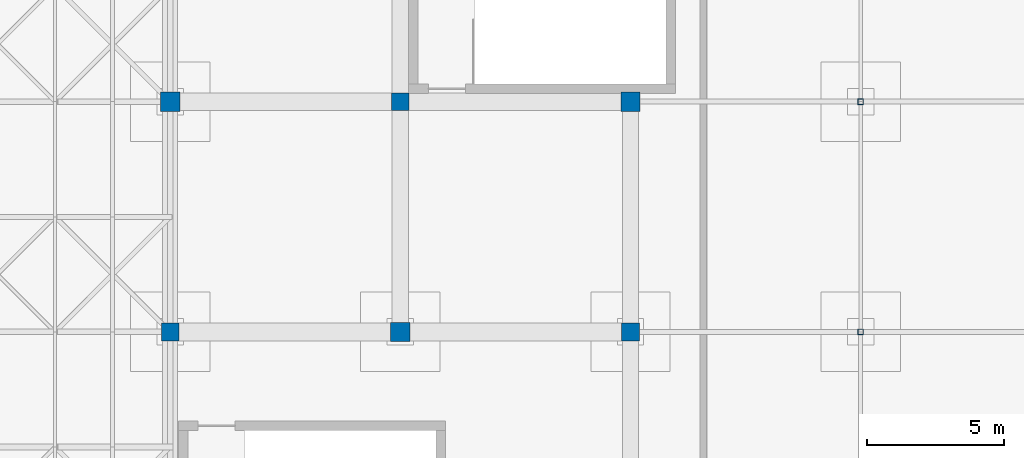
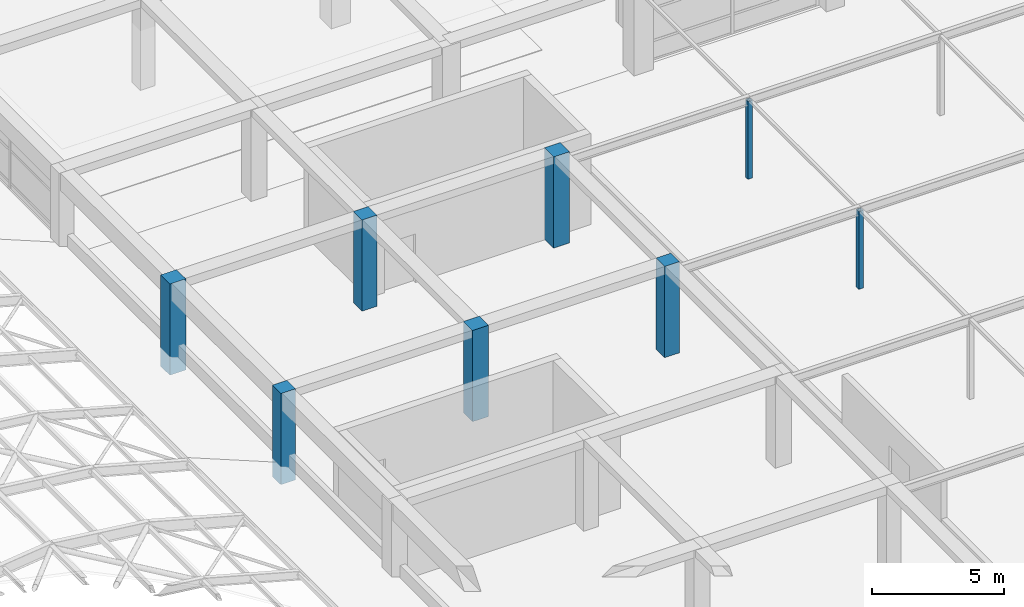
# One storey, part 5 of 85: 8 columns.
"""IFC4 building model written with IfcOpenShell, lengths in metres."""

from ifc_helpers import new_model, si_unit, direction, frame, origin, origin_2d, place, context, subcontext, project, spatial, rectangle, hollow_rectangle, extrude, material, material_profile, profile_set, type_object, element, save


model = new_model("IFC4")

# Units and contexts
model_context = context("Model", 3, precision=1e-05, world=origin(), true_north=direction((0.0, 1.0)))
body_context = subcontext(model_context, "Body", "Model", "MODEL_VIEW")
ifc_project = project(units=[si_unit("LENGTHUNIT", "METRE"), si_unit("AREAUNIT", "SQUARE_METRE"), si_unit("VOLUMEUNIT", "CUBIC_METRE"), si_unit("PLANEANGLEUNIT", "RADIAN"), si_unit("MASSUNIT", "GRAM", prefix="KILO")], contexts=[model_context])

# Site, building, storey
site_placement = place(None, origin())
site = spatial("IfcSite", under=ifc_project, at=site_placement, CompositionType="ELEMENT")
building_placement = place(site_placement, origin())
building = spatial("IfcBuilding", under=site, at=building_placement, Name="Almacenes y Pasaje Nevantli", CompositionType="ELEMENT")
storey_placement = place(building_placement, frame((0.0, 0.0, 22.199951171875)))
storey = spatial("IfcBuildingStorey", under=building, at=storey_placement, Name="L05", CompositionType="ELEMENT", Elevation=22.199951171875)

# Columns
ifc_material_1 = material(Name="Concrete C45/55", Category="concrete")
ifc_material_profile_1 = material_profile(ifc_material_1, rectangle(XDim=0.64990234375, YDim=0.64990234375, at=origin_2d()), Name="RC-COL-650x650")
ifc_profile_set_1 = profile_set([ifc_material_profile_1], Name="Concrete C45/55")
column_type_1 = type_object("IfcColumnType", Name="COL-RC-650", PredefinedType="COLUMN", material=ifc_profile_set_1)
for number, where, z_axis, x_axis, name in (
    (1, (92.39990234375, 50.39990234375, 0.0), (0.0, 0.0, 1.0), (1.0, 0.0, 0.0), "L05 Reinforced Concrete Column CL-07 #1922"),
    (2, (100.800048828125, 58.800048828125, 0.0), (0.0, 0.0, 1.0), (1.0, 0.0, 0.0), "L05 Reinforced Concrete Column CL-07 #1938"),
    (3, (109.199951171875, 50.39990234375, 0.0), (0.0, 0.0, 1.0), (1.0, 0.0, 0.0), "L05 Reinforced Concrete Column CL-07 #1952"),
):
    element("IfcColumn", number, at=place(storey_placement, frame(where, z_axis=z_axis, x_axis=x_axis)), inside=storey, type_object=column_type_1, Name=name, PredefinedType="COLUMN", context=body_context, shape_type="SweptSolid", body=[
        extrude(rectangle(XDim=0.64990234375, YDim=0.64990234375, at=origin_2d()), origin(), (0.0, 0.0, 1.0), 4.219970703125),
    ])
ifc_material_2 = material(Name="Concrete C45/55", Category="concrete")
ifc_material_profile_2 = material_profile(ifc_material_2, rectangle(XDim=0.699951171875, YDim=0.699951171875, at=origin_2d()), Name="RC-COL-700x700")
ifc_profile_set_2 = profile_set([ifc_material_profile_2], Name="Concrete C45/55")
column_type_2 = type_object("IfcColumnType", Name="COL-RC-700", PredefinedType="COLUMN", material=ifc_profile_set_2)
for number, where, z_axis, x_axis, name in (
    (4, (92.39990234375, 58.800048828125, 0.0), (0.0, 0.0, 1.0), (1.0, 0.0, 0.0), "L05 Reinforced Concrete Column CL-06 #1923"),
    (5, (100.800048828125, 50.39990234375, 0.0), (0.0, 0.0, 1.0), (1.0, 0.0, 0.0), "L05 Reinforced Concrete Column CL-06 #1937"),
    (6, (109.199951171875, 58.800048828125, 0.0), (0.0, 0.0, 1.0), (1.0, 0.0, 0.0), "L05 Reinforced Concrete Column CL-06 #1953"),
):
    element("IfcColumn", number, at=place(storey_placement, frame(where, z_axis=z_axis, x_axis=x_axis)), inside=storey, type_object=column_type_2, Name=name, PredefinedType="COLUMN", context=body_context, shape_type="SweptSolid", body=[
        extrude(rectangle(XDim=0.699951171875, YDim=0.699951171875, at=origin_2d()), origin(), (0.0, 0.0, 1.0), 4.219970703125),
    ])
ifc_material_3 = material(Name="Steel ASTM A500 Grade C", Category="steel")
ifc_material_profile_3 = material_profile(ifc_material_3, hollow_rectangle(XDim=0.203125, YDim=0.203125, WallThickness=0.009521484375, at=origin_2d()), Name="OR 203x203x9.5")
ifc_profile_set_3 = profile_set([ifc_material_profile_3], Name="Steel ASTM A500 Grade C")
column_type_3 = type_object("IfcColumnType", Name="COL-STL-OR203", PredefinedType="COLUMN", material=ifc_profile_set_3)
for number, where, z_axis, x_axis, name in (
    (7, (117.60009765625, 50.39990234375, 0.0), (0.0, 0.0, 1.0), (1.0, 0.0, 0.0), "L05 Ziggurat Terrace Pergola Steel Column #2048"),
    (8, (117.60009765625, 58.800048828125, 0.0), (0.0, 0.0, 1.0), (1.0, 0.0, 0.0), "L05 Ziggurat Terrace Pergola Steel Column #2049"),
):
    element("IfcColumn", number, at=place(storey_placement, frame(where, z_axis=z_axis, x_axis=x_axis)), inside=storey, type_object=column_type_3, Name=name, PredefinedType="COLUMN", context=body_context, shape_type="SweptSolid", body=[
        extrude(hollow_rectangle(XDim=0.203125, YDim=0.203125, WallThickness=0.009521484375, at=origin_2d()), origin(), (0.0, 0.0, 1.0), 3.60009765625),
    ])

save(model, "model.ifc")
